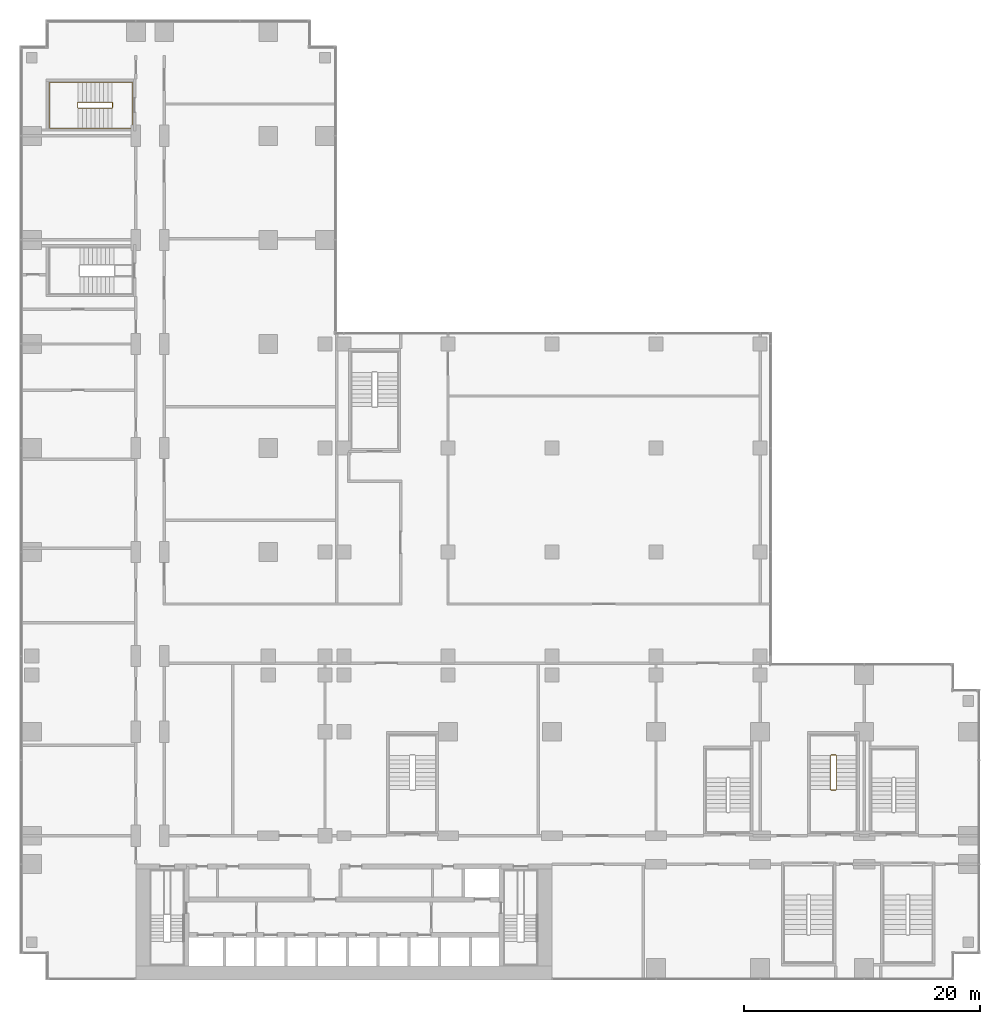
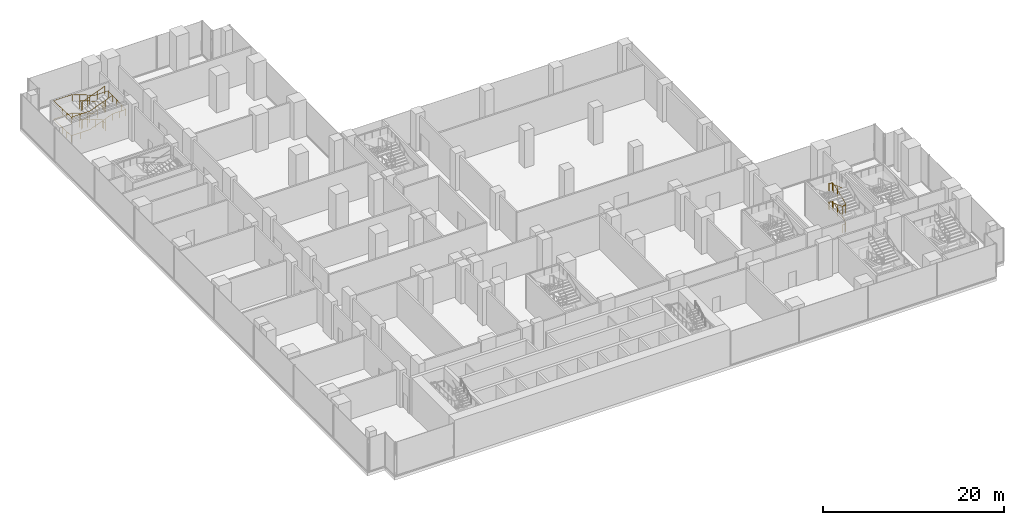
# One storey, part 30 of 30: 3 railings.
"""IFC4 building model written with IfcOpenShell, lengths in metres."""

from ifc_helpers import new_model, si_unit, direction, frame, origin, origin_2d, place, context, subcontext, project, spatial, circle, extrude, material, type_object, element, save


model = new_model("IFC4")

# Units and contexts
model_context = context("Model", 3, precision=1e-05, world=origin(), true_north=direction((0.0, 1.0)))
body_context = subcontext(model_context, "Body", "Model", "MODEL_VIEW")
ifc_project = project(units=[si_unit("LENGTHUNIT", "METRE"), si_unit("AREAUNIT", "SQUARE_METRE"), si_unit("VOLUMEUNIT", "CUBIC_METRE"), si_unit("PLANEANGLEUNIT", "RADIAN"), si_unit("MASSUNIT", "GRAM", prefix="KILO")], contexts=[model_context])

# Site, building, storey
site_placement = place(None, origin())
site = spatial("IfcSite", under=ifc_project, at=site_placement, CompositionType="ELEMENT")
building_placement = place(site_placement, origin())
building = spatial("IfcBuilding", under=site, at=building_placement, Name="Kemantara Hotel Tower", CompositionType="ELEMENT")
storey_placement = place(building_placement, frame((0.0, 0.0, 13.0)))
storey = spatial("IfcBuildingStorey", under=building, at=storey_placement, Name="L02", CompositionType="ELEMENT", Elevation=13.0)

# Railings
ifc_material = material(Name="Stainless steel balustrade", Category="steel")
railing_type_1 = type_object("IfcRailingType", Name="Stair guard 1100 mm", PredefinedType="GUARDRAIL", material=ifc_material)
railing_1_placement = place(storey_placement, frame((7.800048828125, 73.75, 5.0)))
element("IfcRailing", 1, at=railing_1_placement, inside=storey, type_object=railing_type_1, Name="L02 ST6 stair guard 1", PredefinedType="GUARDRAIL", context=body_context, shape_type="SweptSolid", body=[
    extrude(circle(Radius=0.02392578125, at=origin_2d()), frame((0.0, 0.0, 1.076171875), z_axis=(-0.932982310422, 0.0, -0.359922225543), x_axis=(0.0, -1.0, 0.0)), (0.0, 0.0, 1.0), 3.0869140625),
    extrude(circle(Radius=0.02392578125, at=origin_2d()), frame((-2.880126953125, 0.0, -0.03515625), z_axis=(-0.319608697381, 0.321175406682, -0.891457592206), x_axis=(-0.708833529934, -0.705375805398, 0.0)), (0.0, 0.0, 1.0), 0.15576171875),
    extrude(circle(Radius=0.02392578125, at=origin_2d()), frame((-2.929931640625, 0.050048828125, -0.173828125), z_axis=(0.0, 1.0, 0.0), x_axis=(-1.0, 0.0, 0.0)), (0.0, 0.0, 1.0), 0.39990234375),
    extrude(circle(Radius=0.02392578125, at=origin_2d()), frame((-2.929931640625, 0.449951171875, -0.173828125), z_axis=(0.705375805398, 0.708833529934, 0.0), x_axis=(-0.708833529934, 0.705375805398, 0.0)), (0.0, 0.0, 1.0), 0.070556640625),
    extrude(circle(Radius=0.02392578125, at=origin_2d()), frame((-2.880126953125, 0.5, -0.173828125), z_axis=(0.932982310422, 0.0, -0.359922225543), x_axis=(0.0, 1.0, 0.0)), (0.0, 0.0, 1.0), 3.0869140625),
    extrude(circle(Radius=0.02392578125, at=origin_2d()), frame((0.0, 0.5, -1.28515625), z_axis=(0.105686461667, -0.950147067569, -0.293344374089), x_axis=(0.993870574751, 0.110549901152, 0.0)), (0.0, 0.0, 1.0), 0.4736328125),
    extrude(circle(Radius=0.02392578125, at=origin_2d()), frame((0.050048828125, 0.050048828125, -1.423828125), z_axis=(0.0, 1.0, 0.0), x_axis=(-1.0, 0.0, 0.0)), (0.0, 0.0, 1.0), 0.39990234375),
    extrude(circle(Radius=0.02392578125, at=origin_2d()), frame((0.050048828125, 0.449951171875, -1.423828125), z_axis=(-0.110549901152, -0.993870574751, 0.0), x_axis=(0.993870574751, -0.110549901152, 0.0)), (0.0, 0.0, 1.0), 0.45263671875),
    extrude(circle(Radius=0.02392578125, at=origin_2d()), frame((0.0, 0.0, -1.423828125), z_axis=(-0.932982310422, 0.0, -0.359922225543), x_axis=(0.0, -1.0, 0.0)), (0.0, 0.0, 1.0), 3.0869140625),
    extrude(circle(Radius=0.02392578125, at=origin_2d()), frame((-2.880126953125, 0.0, -2.53515625), z_axis=(-0.319608697381, 0.321175406682, -0.891457592206), x_axis=(-0.708833529934, -0.705375805398, 0.0)), (0.0, 0.0, 1.0), 0.15576171875),
    extrude(circle(Radius=0.02392578125, at=origin_2d()), frame((-2.929931640625, 0.050048828125, -2.673828125), z_axis=(0.0, 1.0, 0.0), x_axis=(-1.0, 0.0, 0.0)), (0.0, 0.0, 1.0), 0.39990234375),
    extrude(circle(Radius=0.02392578125, at=origin_2d()), frame((-2.929931640625, 0.449951171875, -2.673828125), z_axis=(0.705375805398, 0.708833529934, 0.0), x_axis=(-0.708833529934, 0.705375805398, 0.0)), (0.0, 0.0, 1.0), 0.070556640625),
    extrude(circle(Radius=0.02392578125, at=origin_2d()), frame((-2.880126953125, 0.5, -2.673828125), z_axis=(0.932982310422, 0.0, -0.359922225543), x_axis=(0.0, 1.0, 0.0)), (0.0, 0.0, 1.0), 3.0869140625),
    extrude(circle(Radius=0.02392578125, at=origin_2d()), frame((0.0, 0.5, -3.78515625), z_axis=(0.321014310373, -0.321014310373, -0.891010451718), x_axis=(0.707106781187, 0.707106781187, 0.0)), (0.0, 0.0, 1.0), 0.156005859375),
    extrude(circle(Radius=0.02392578125, at=origin_2d()), frame((0.050048828125, 0.449951171875, -3.923828125), z_axis=(0.0, -1.0, 0.0), x_axis=(1.0, 0.0, 0.0)), (0.0, 0.0, 1.0), 0.39990234375),
    extrude(circle(Radius=0.02099609375, at=origin_2d()), origin(), (0.0, 0.0, 1.0), 1.052001953125),
    extrude(circle(Radius=0.02099609375, at=origin_2d()), frame((-0.9599609375, 0.0, -0.370361328125)), (0.0, 0.0, 1.0), 1.052001953125),
    extrude(circle(Radius=0.02099609375, at=origin_2d()), frame((-1.920166015625, 0.0, -0.74072265625)), (0.0, 0.0, 1.0), 1.052001953125),
    extrude(circle(Radius=0.02099609375, at=origin_2d()), frame((-2.880126953125, 0.0, -1.111083984375)), (0.0, 0.0, 1.0), 1.052001953125),
    extrude(circle(Radius=0.02099609375, at=origin_2d()), frame((-2.929931640625, 0.050048828125, -1.25)), (0.0, 0.0, 1.0), 1.052001953125),
    extrude(circle(Radius=0.02099609375, at=origin_2d()), frame((-2.929931640625, 0.449951171875, -1.25)), (0.0, 0.0, 1.0), 1.052001953125),
    extrude(circle(Radius=0.02099609375, at=origin_2d()), frame((-2.880126953125, 0.5, -1.25)), (0.0, 0.0, 1.0), 1.052001953125),
    extrude(circle(Radius=0.02099609375, at=origin_2d()), frame((-1.920166015625, 0.5, -1.620361328125)), (0.0, 0.0, 1.0), 1.052001953125),
    extrude(circle(Radius=0.02099609375, at=origin_2d()), frame((-0.9599609375, 0.5, -1.99072265625)), (0.0, 0.0, 1.0), 1.052001953125),
    extrude(circle(Radius=0.02099609375, at=origin_2d()), frame((0.0, 0.5, -2.361083984375)), (0.0, 0.0, 1.0), 1.052001953125),
    extrude(circle(Radius=0.02099609375, at=origin_2d()), frame((0.050048828125, 0.050048828125, -2.5)), (0.0, 0.0, 1.0), 1.052001953125),
    extrude(circle(Radius=0.02099609375, at=origin_2d()), frame((0.050048828125, 0.449951171875, -2.5)), (0.0, 0.0, 1.0), 1.052001953125),
    extrude(circle(Radius=0.02099609375, at=origin_2d()), frame((0.0, 0.0, -2.5)), (0.0, 0.0, 1.0), 1.052001953125),
    extrude(circle(Radius=0.02099609375, at=origin_2d()), frame((-0.9599609375, 0.0, -2.870361328125)), (0.0, 0.0, 1.0), 1.052001953125),
    extrude(circle(Radius=0.02099609375, at=origin_2d()), frame((-1.920166015625, 0.0, -3.24072265625)), (0.0, 0.0, 1.0), 1.052001953125),
    extrude(circle(Radius=0.02099609375, at=origin_2d()), frame((-2.880126953125, 0.0, -3.611083984375)), (0.0, 0.0, 1.0), 1.052001953125),
    extrude(circle(Radius=0.02099609375, at=origin_2d()), frame((-2.929931640625, 0.050048828125, -3.75)), (0.0, 0.0, 1.0), 1.052001953125),
    extrude(circle(Radius=0.02099609375, at=origin_2d()), frame((-2.929931640625, 0.449951171875, -3.75)), (0.0, 0.0, 1.0), 1.052001953125),
    extrude(circle(Radius=0.02099609375, at=origin_2d()), frame((-2.880126953125, 0.5, -3.75)), (0.0, 0.0, 1.0), 1.052001953125),
    extrude(circle(Radius=0.02099609375, at=origin_2d()), frame((-1.920166015625, 0.5, -4.120361328125)), (0.0, 0.0, 1.0), 1.052001953125),
    extrude(circle(Radius=0.02099609375, at=origin_2d()), frame((-0.9599609375, 0.5, -4.49072265625)), (0.0, 0.0, 1.0), 1.052001953125),
    extrude(circle(Radius=0.02099609375, at=origin_2d()), frame((0.0, 0.5, -4.861083984375)), (0.0, 0.0, 1.0), 1.052001953125),
    extrude(circle(Radius=0.02099609375, at=origin_2d()), frame((0.050048828125, 0.449951171875, -5.0)), (0.0, 0.0, 1.0), 1.052001953125),
    extrude(circle(Radius=0.02099609375, at=origin_2d()), frame((0.050048828125, 0.050048828125, -5.0)), (0.0, 0.0, 1.0), 1.052001953125),
])
railing_2_placement = place(storey_placement, frame((68.550048828125, 16.10009765625, 5.0)))
element("IfcRailing", 2, at=railing_2_placement, inside=storey, type_object=railing_type_1, Name="L02 PS1 stair guard 1", PredefinedType="GUARDRAIL", context=body_context, shape_type="SweptSolid", body=[
    extrude(circle(Radius=0.02392578125, at=origin_2d()), frame((0.0, 0.0, 1.076171875), z_axis=(0.0, 0.932972064118, -0.359948784656), x_axis=(-1.0, 0.0, 0.0)), (0.0, 0.0, 1.0), 3.086669921875),
    extrude(circle(Radius=0.02392578125, at=origin_2d()), frame((0.0, 2.8798828125, -0.03515625), z_axis=(0.321014310373, 0.321014310373, -0.891010451718), x_axis=(-0.707106781187, 0.707106781187, 0.0)), (0.0, 0.0, 1.0), 0.156005859375),
    extrude(circle(Radius=0.02392578125, at=origin_2d()), frame((0.050048828125, 2.929931640625, -0.173828125), z_axis=(1.0, 0.0, 0.0), x_axis=(0.0, 1.0, 0.0)), (0.0, 0.0, 1.0), 0.39990234375),
    extrude(circle(Radius=0.02392578125, at=origin_2d()), frame((0.449951171875, 2.929931640625, -0.173828125), z_axis=(0.707106781187, -0.707106781187, 0.0), x_axis=(0.707106781187, 0.707106781187, 0.0)), (0.0, 0.0, 1.0), 0.07080078125),
    extrude(circle(Radius=0.02392578125, at=origin_2d()), frame((0.5, 2.8798828125, -0.173828125), z_axis=(0.0, -0.932972064118, -0.359948784656), x_axis=(1.0, 0.0, 0.0)), (0.0, 0.0, 1.0), 3.086669921875),
    extrude(circle(Radius=0.02392578125, at=origin_2d()), frame((0.5, 0.0, -1.28515625), z_axis=(-0.950147067569, -0.105686461667, -0.293344374089), x_axis=(0.110549901152, -0.993870574751, 0.0)), (0.0, 0.0, 1.0), 0.4736328125),
    extrude(circle(Radius=0.02392578125, at=origin_2d()), frame((0.050048828125, -0.050048828125, -1.423828125), z_axis=(1.0, 0.0, 0.0), x_axis=(0.0, 1.0, 0.0)), (0.0, 0.0, 1.0), 0.39990234375),
    extrude(circle(Radius=0.02392578125, at=origin_2d()), frame((0.449951171875, -0.050048828125, -1.423828125), z_axis=(-0.993870574751, 0.110549901152, 0.0), x_axis=(-0.110549901152, -0.993870574751, 0.0)), (0.0, 0.0, 1.0), 0.45263671875),
    extrude(circle(Radius=0.02392578125, at=origin_2d()), frame((0.0, 0.0, -1.423828125), z_axis=(0.0, 0.932972064118, -0.359948784656), x_axis=(-1.0, 0.0, 0.0)), (0.0, 0.0, 1.0), 3.086669921875),
    extrude(circle(Radius=0.02392578125, at=origin_2d()), frame((0.0, 2.8798828125, -2.53515625), z_axis=(0.321014310373, 0.321014310373, -0.891010451718), x_axis=(-0.707106781187, 0.707106781187, 0.0)), (0.0, 0.0, 1.0), 0.156005859375),
    extrude(circle(Radius=0.02392578125, at=origin_2d()), frame((0.050048828125, 2.929931640625, -2.673828125), z_axis=(1.0, 0.0, 0.0), x_axis=(0.0, 1.0, 0.0)), (0.0, 0.0, 1.0), 0.39990234375),
    extrude(circle(Radius=0.02392578125, at=origin_2d()), frame((0.449951171875, 2.929931640625, -2.673828125), z_axis=(0.707106781187, -0.707106781187, 0.0), x_axis=(0.707106781187, 0.707106781187, 0.0)), (0.0, 0.0, 1.0), 0.07080078125),
    extrude(circle(Radius=0.02392578125, at=origin_2d()), frame((0.5, 2.8798828125, -2.673828125), z_axis=(0.0, -0.932972064118, -0.359948784656), x_axis=(1.0, 0.0, 0.0)), (0.0, 0.0, 1.0), 3.086669921875),
    extrude(circle(Radius=0.02392578125, at=origin_2d()), frame((0.5, 0.0, -3.78515625), z_axis=(-0.321014310373, -0.321014310373, -0.891010451718), x_axis=(0.707106781187, -0.707106781187, 0.0)), (0.0, 0.0, 1.0), 0.156005859375),
    extrude(circle(Radius=0.02392578125, at=origin_2d()), frame((0.449951171875, -0.050048828125, -3.923828125), z_axis=(-1.0, 0.0, 0.0), x_axis=(0.0, -1.0, 0.0)), (0.0, 0.0, 1.0), 0.39990234375),
    extrude(circle(Radius=0.02099609375, at=origin_2d()), origin(), (0.0, 0.0, 1.0), 1.052001953125),
    extrude(circle(Radius=0.02099609375, at=origin_2d()), frame((0.0, 0.9599609375, -0.370361328125)), (0.0, 0.0, 1.0), 1.052001953125),
    extrude(circle(Radius=0.02099609375, at=origin_2d()), frame((0.0, 1.919921875, -0.74072265625)), (0.0, 0.0, 1.0), 1.052001953125),
    extrude(circle(Radius=0.02099609375, at=origin_2d()), frame((0.0, 2.8798828125, -1.111083984375)), (0.0, 0.0, 1.0), 1.052001953125),
    extrude(circle(Radius=0.02099609375, at=origin_2d()), frame((0.050048828125, 2.929931640625, -1.25)), (0.0, 0.0, 1.0), 1.052001953125),
    extrude(circle(Radius=0.02099609375, at=origin_2d()), frame((0.449951171875, 2.929931640625, -1.25)), (0.0, 0.0, 1.0), 1.052001953125),
    extrude(circle(Radius=0.02099609375, at=origin_2d()), frame((0.5, 2.8798828125, -1.25)), (0.0, 0.0, 1.0), 1.052001953125),
    extrude(circle(Radius=0.02099609375, at=origin_2d()), frame((0.5, 1.919921875, -1.620361328125)), (0.0, 0.0, 1.0), 1.052001953125),
    extrude(circle(Radius=0.02099609375, at=origin_2d()), frame((0.5, 0.9599609375, -1.99072265625)), (0.0, 0.0, 1.0), 1.052001953125),
    extrude(circle(Radius=0.02099609375, at=origin_2d()), frame((0.5, 0.0, -2.361083984375)), (0.0, 0.0, 1.0), 1.052001953125),
    extrude(circle(Radius=0.02099609375, at=origin_2d()), frame((0.050048828125, -0.050048828125, -2.5)), (0.0, 0.0, 1.0), 1.052001953125),
    extrude(circle(Radius=0.02099609375, at=origin_2d()), frame((0.449951171875, -0.050048828125, -2.5)), (0.0, 0.0, 1.0), 1.052001953125),
    extrude(circle(Radius=0.02099609375, at=origin_2d()), frame((0.0, 0.0, -2.5)), (0.0, 0.0, 1.0), 1.052001953125),
    extrude(circle(Radius=0.02099609375, at=origin_2d()), frame((0.0, 0.9599609375, -2.870361328125)), (0.0, 0.0, 1.0), 1.052001953125),
    extrude(circle(Radius=0.02099609375, at=origin_2d()), frame((0.0, 1.919921875, -3.24072265625)), (0.0, 0.0, 1.0), 1.052001953125),
    extrude(circle(Radius=0.02099609375, at=origin_2d()), frame((0.0, 2.8798828125, -3.611083984375)), (0.0, 0.0, 1.0), 1.052001953125),
    extrude(circle(Radius=0.02099609375, at=origin_2d()), frame((0.050048828125, 2.929931640625, -3.75)), (0.0, 0.0, 1.0), 1.052001953125),
    extrude(circle(Radius=0.02099609375, at=origin_2d()), frame((0.449951171875, 2.929931640625, -3.75)), (0.0, 0.0, 1.0), 1.052001953125),
    extrude(circle(Radius=0.02099609375, at=origin_2d()), frame((0.5, 2.8798828125, -3.75)), (0.0, 0.0, 1.0), 1.052001953125),
    extrude(circle(Radius=0.02099609375, at=origin_2d()), frame((0.5, 1.919921875, -4.120361328125)), (0.0, 0.0, 1.0), 1.052001953125),
    extrude(circle(Radius=0.02099609375, at=origin_2d()), frame((0.5, 0.9599609375, -4.49072265625)), (0.0, 0.0, 1.0), 1.052001953125),
    extrude(circle(Radius=0.02099609375, at=origin_2d()), frame((0.5, 0.0, -4.861083984375)), (0.0, 0.0, 1.0), 1.052001953125),
    extrude(circle(Radius=0.02099609375, at=origin_2d()), frame((0.449951171875, -0.050048828125, -5.0)), (0.0, 0.0, 1.0), 1.052001953125),
    extrude(circle(Radius=0.02099609375, at=origin_2d()), frame((0.050048828125, -0.050048828125, -5.0)), (0.0, 0.0, 1.0), 1.052001953125),
])
railing_type_2 = type_object("IfcRailingType", Name="Stair handrail 900 mm", PredefinedType="HANDRAIL", material=ifc_material)
railing_3_placement = place(storey_placement, frame((7.800048828125, 75.949951171875, 0.138916015625)))
element("IfcRailing", 3, at=railing_3_placement, inside=storey, type_object=railing_type_2, Name="L02 ST6 stair handrail 1", PredefinedType="HANDRAIL", context=body_context, shape_type="SweptSolid", body=[
    extrude(circle(Radius=0.02392578125, at=origin_2d()), frame((0.0, 0.0, 0.8759765625), z_axis=(-0.932982310422, 0.0, 0.359922225543), x_axis=(0.0, -1.0, 0.0)), (0.0, 0.0, 1.0), 3.0869140625),
    extrude(circle(Radius=0.02392578125, at=origin_2d()), frame((-2.880126953125, 0.0, 1.98681640625), z_axis=(-1.0, 0.0, 0.0), x_axis=(0.0, -1.0, 0.0)), (0.0, 0.0, 1.0), 2.39990234375),
    extrude(circle(Radius=0.02392578125, at=origin_2d()), frame((-5.280029296875, 0.0, 1.98681640625), z_axis=(0.0, -0.999366197222, 0.035597806825), x_axis=(1.0, 0.0, 0.0)), (0.0, 0.0, 1.0), 3.90234375),
    extrude(circle(Radius=0.02392578125, at=origin_2d()), frame((-5.280029296875, -3.89990234375, 2.1259765625), z_axis=(1.0, 0.0, 0.0), x_axis=(0.0, 1.0, 0.0)), (0.0, 0.0, 1.0), 2.39990234375),
    extrude(circle(Radius=0.02392578125, at=origin_2d()), frame((-2.880126953125, -3.89990234375, 2.1259765625), z_axis=(0.932982310422, 0.0, 0.359922225543), x_axis=(0.0, 1.0, 0.0)), (0.0, 0.0, 1.0), 3.0869140625),
    extrude(circle(Radius=0.02392578125, at=origin_2d()), frame((0.0, -3.89990234375, 3.23681640625), z_axis=(1.0, 0.0, 0.0), x_axis=(0.0, 1.0, 0.0)), (0.0, 0.0, 1.0), 1.679931640625),
    extrude(circle(Radius=0.02392578125, at=origin_2d()), frame((1.679931640625, -3.89990234375, 3.23681640625), z_axis=(0.0, 0.999366197222, 0.035597806825), x_axis=(-1.0, 0.0, 0.0)), (0.0, 0.0, 1.0), 3.90234375),
    extrude(circle(Radius=0.02392578125, at=origin_2d()), frame((1.679931640625, 0.0, 3.3759765625), z_axis=(-1.0, 0.0, 0.0), x_axis=(0.0, -1.0, 0.0)), (0.0, 0.0, 1.0), 1.679931640625),
    extrude(circle(Radius=0.02392578125, at=origin_2d()), frame((0.0, 0.0, 3.3759765625), z_axis=(-0.932982310422, 0.0, 0.359922225543), x_axis=(0.0, -1.0, 0.0)), (0.0, 0.0, 1.0), 3.0869140625),
    extrude(circle(Radius=0.02392578125, at=origin_2d()), frame((-2.880126953125, 0.0, 4.48681640625), z_axis=(-1.0, 0.0, 0.0), x_axis=(0.0, -1.0, 0.0)), (0.0, 0.0, 1.0), 2.39990234375),
    extrude(circle(Radius=0.02392578125, at=origin_2d()), frame((-5.280029296875, 0.0, 4.48681640625), z_axis=(0.0, -0.999366197222, 0.035597806825), x_axis=(1.0, 0.0, 0.0)), (0.0, 0.0, 1.0), 3.90234375),
    extrude(circle(Radius=0.02392578125, at=origin_2d()), frame((-5.280029296875, -3.89990234375, 4.6259765625), z_axis=(1.0, 0.0, 0.0), x_axis=(0.0, 1.0, 0.0)), (0.0, 0.0, 1.0), 2.39990234375),
    extrude(circle(Radius=0.02392578125, at=origin_2d()), frame((-2.880126953125, -3.89990234375, 4.6259765625), z_axis=(0.932982310422, 0.0, 0.359922225543), x_axis=(0.0, 1.0, 0.0)), (0.0, 0.0, 1.0), 3.0869140625),
    extrude(circle(Radius=0.02099609375, at=origin_2d()), origin(), (0.0, 0.0, 1.0), 0.851806640625),
    extrude(circle(Radius=0.02099609375, at=origin_2d()), frame((-0.9599609375, 0.0, 0.370361328125)), (0.0, 0.0, 1.0), 0.851806640625),
    extrude(circle(Radius=0.02099609375, at=origin_2d()), frame((-1.920166015625, 0.0, 0.74072265625)), (0.0, 0.0, 1.0), 0.851806640625),
    extrude(circle(Radius=0.02099609375, at=origin_2d()), frame((-2.880126953125, 0.0, 1.111083984375)), (0.0, 0.0, 1.0), 0.851806640625),
    extrude(circle(Radius=0.02099609375, at=origin_2d()), frame((-4.080078125, 0.0, 1.111083984375)), (0.0, 0.0, 1.0), 0.851806640625),
    extrude(circle(Radius=0.02099609375, at=origin_2d()), frame((-5.280029296875, 0.0, 1.111083984375)), (0.0, 0.0, 1.0), 0.851806640625),
    extrude(circle(Radius=0.02099609375, at=origin_2d()), frame((-5.280029296875, -0.97509765625, 1.145751953125)), (0.0, 0.0, 1.0), 0.851806640625),
    extrude(circle(Radius=0.02099609375, at=origin_2d()), frame((-5.280029296875, -1.949951171875, 1.1806640625)), (0.0, 0.0, 1.0), 0.851806640625),
    extrude(circle(Radius=0.02099609375, at=origin_2d()), frame((-5.280029296875, -2.9248046875, 1.21533203125)), (0.0, 0.0, 1.0), 0.851806640625),
    extrude(circle(Radius=0.02099609375, at=origin_2d()), frame((-5.280029296875, -3.89990234375, 1.25)), (0.0, 0.0, 1.0), 0.851806640625),
    extrude(circle(Radius=0.02099609375, at=origin_2d()), frame((-4.080078125, -3.89990234375, 1.25)), (0.0, 0.0, 1.0), 0.851806640625),
    extrude(circle(Radius=0.02099609375, at=origin_2d()), frame((-2.880126953125, -3.89990234375, 1.25)), (0.0, 0.0, 1.0), 0.851806640625),
    extrude(circle(Radius=0.02099609375, at=origin_2d()), frame((-1.920166015625, -3.89990234375, 1.620361328125)), (0.0, 0.0, 1.0), 0.851806640625),
    extrude(circle(Radius=0.02099609375, at=origin_2d()), frame((-0.9599609375, -3.89990234375, 1.99072265625)), (0.0, 0.0, 1.0), 0.851806640625),
    extrude(circle(Radius=0.02099609375, at=origin_2d()), frame((0.0, -3.89990234375, 2.361083984375)), (0.0, 0.0, 1.0), 0.851806640625),
    extrude(circle(Radius=0.02099609375, at=origin_2d()), frame((0.83984375, -3.89990234375, 2.361083984375)), (0.0, 0.0, 1.0), 0.851806640625),
    extrude(circle(Radius=0.02099609375, at=origin_2d()), frame((1.679931640625, -3.89990234375, 2.361083984375)), (0.0, 0.0, 1.0), 0.851806640625),
    extrude(circle(Radius=0.02099609375, at=origin_2d()), frame((1.679931640625, -2.9248046875, 2.395751953125)), (0.0, 0.0, 1.0), 0.851806640625),
    extrude(circle(Radius=0.02099609375, at=origin_2d()), frame((1.679931640625, -1.949951171875, 2.4306640625)), (0.0, 0.0, 1.0), 0.851806640625),
    extrude(circle(Radius=0.02099609375, at=origin_2d()), frame((1.679931640625, -0.97509765625, 2.46533203125)), (0.0, 0.0, 1.0), 0.851806640625),
    extrude(circle(Radius=0.02099609375, at=origin_2d()), frame((1.679931640625, 0.0, 2.5)), (0.0, 0.0, 1.0), 0.851806640625),
    extrude(circle(Radius=0.02099609375, at=origin_2d()), frame((0.83984375, 0.0, 2.5)), (0.0, 0.0, 1.0), 0.851806640625),
    extrude(circle(Radius=0.02099609375, at=origin_2d()), frame((0.0, 0.0, 2.5)), (0.0, 0.0, 1.0), 0.851806640625),
    extrude(circle(Radius=0.02099609375, at=origin_2d()), frame((-0.9599609375, 0.0, 2.870361328125)), (0.0, 0.0, 1.0), 0.851806640625),
    extrude(circle(Radius=0.02099609375, at=origin_2d()), frame((-1.920166015625, 0.0, 3.24072265625)), (0.0, 0.0, 1.0), 0.851806640625),
    extrude(circle(Radius=0.02099609375, at=origin_2d()), frame((-2.880126953125, 0.0, 3.611083984375)), (0.0, 0.0, 1.0), 0.851806640625),
    extrude(circle(Radius=0.02099609375, at=origin_2d()), frame((-4.080078125, 0.0, 3.611083984375)), (0.0, 0.0, 1.0), 0.851806640625),
    extrude(circle(Radius=0.02099609375, at=origin_2d()), frame((-5.280029296875, 0.0, 3.611083984375)), (0.0, 0.0, 1.0), 0.851806640625),
    extrude(circle(Radius=0.02099609375, at=origin_2d()), frame((-5.280029296875, -0.97509765625, 3.645751953125)), (0.0, 0.0, 1.0), 0.851806640625),
    extrude(circle(Radius=0.02099609375, at=origin_2d()), frame((-5.280029296875, -1.949951171875, 3.6806640625)), (0.0, 0.0, 1.0), 0.851806640625),
    extrude(circle(Radius=0.02099609375, at=origin_2d()), frame((-5.280029296875, -2.9248046875, 3.71533203125)), (0.0, 0.0, 1.0), 0.851806640625),
    extrude(circle(Radius=0.02099609375, at=origin_2d()), frame((-5.280029296875, -3.89990234375, 3.75)), (0.0, 0.0, 1.0), 0.851806640625),
    extrude(circle(Radius=0.02099609375, at=origin_2d()), frame((-4.080078125, -3.89990234375, 3.75)), (0.0, 0.0, 1.0), 0.851806640625),
    extrude(circle(Radius=0.02099609375, at=origin_2d()), frame((-2.880126953125, -3.89990234375, 3.75)), (0.0, 0.0, 1.0), 0.851806640625),
    extrude(circle(Radius=0.02099609375, at=origin_2d()), frame((-1.920166015625, -3.89990234375, 4.120361328125)), (0.0, 0.0, 1.0), 0.851806640625),
    extrude(circle(Radius=0.02099609375, at=origin_2d()), frame((-0.9599609375, -3.89990234375, 4.49072265625)), (0.0, 0.0, 1.0), 0.851806640625),
    extrude(circle(Radius=0.02099609375, at=origin_2d()), frame((0.0, -3.89990234375, 4.861083984375)), (0.0, 0.0, 1.0), 0.851806640625),
])

save(model, "model.ifc")
